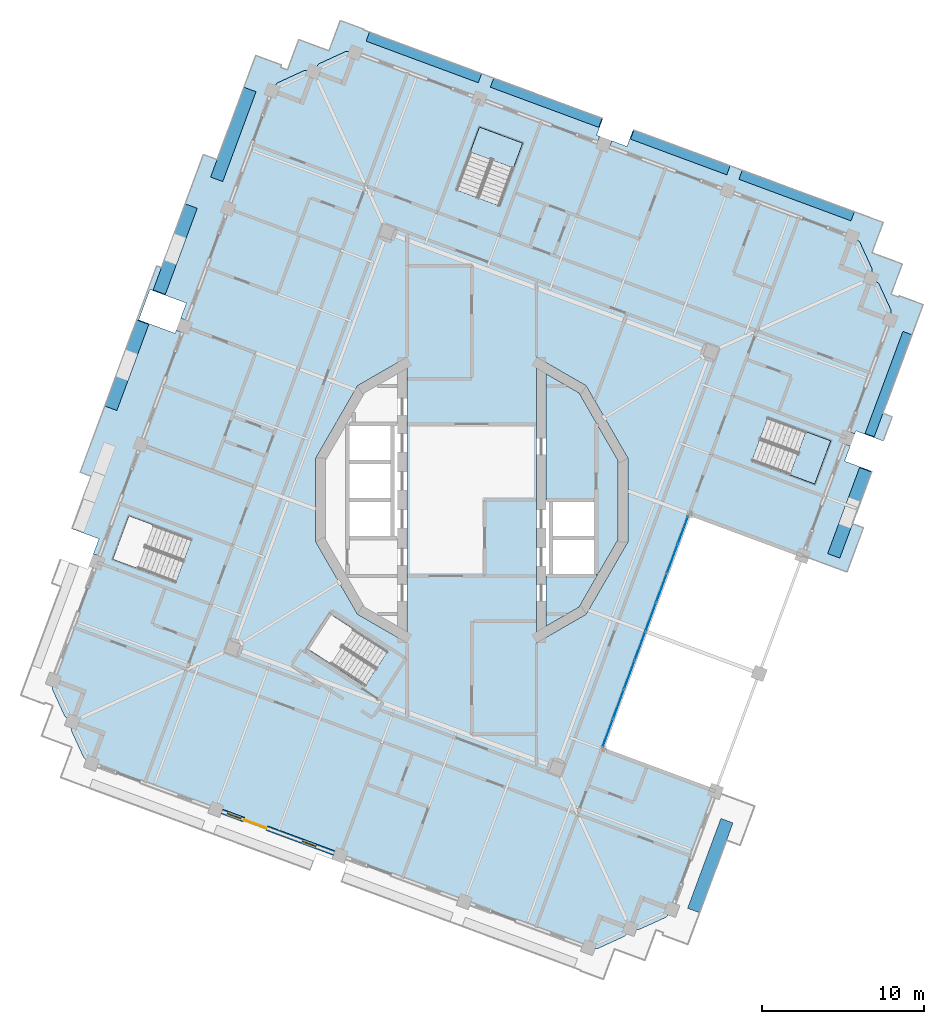
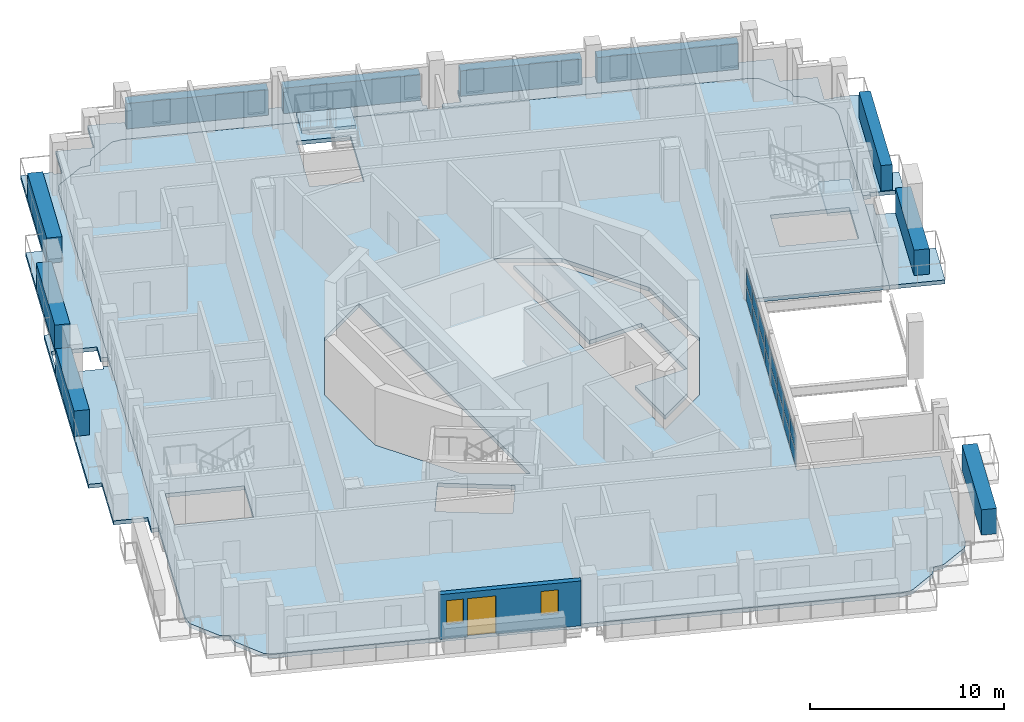
# One storey, part 4 of 19: 26 plates, 7 slabs, 2 windows, 1 door, 1 wall, 3 openings, 3 elements without a shape of their own.
"""IFC4 building model written with IfcOpenShell, lengths in metres."""

from ifc_helpers import new_model, si_unit, direction, frame, frame_2d, origin, origin_2d, place, context, subcontext, project, spatial, polyline, rectangle, outline, extrude, material, layer, layer_set, type_object, element, fill, aggregate, save


model = new_model("IFC4")

# Units and contexts
model_context = context("Model", 3, precision=1e-05, world=origin(), true_north=direction((0.0, 1.0)))
body_context = subcontext(model_context, "Body", "Model", "MODEL_VIEW")
ifc_project = project(units=[si_unit("LENGTHUNIT", "METRE"), si_unit("AREAUNIT", "SQUARE_METRE"), si_unit("VOLUMEUNIT", "CUBIC_METRE"), si_unit("PLANEANGLEUNIT", "RADIAN"), si_unit("MASSUNIT", "GRAM", prefix="KILO")], contexts=[model_context])

# Site, building, storey
site_placement = place(None, origin())
site = spatial("IfcSite", under=ifc_project, at=site_placement, CompositionType="ELEMENT")
building_placement = place(site_placement, origin())
building = spatial("IfcBuilding", under=site, at=building_placement, Name="Cantera Rosa Tower", CompositionType="ELEMENT")
storey_placement = place(building_placement, frame((0.0, 0.0, 331.300048828125)))
storey = spatial("IfcBuildingStorey", under=building, at=storey_placement, Name="L74", CompositionType="ELEMENT", Elevation=331.300048828125)

# Slabs
ifc_material_1 = material(Name="Concrete C35/45", Category="concrete")
ifc_layer_1 = layer(ifc_material_1, 0.25)
ifc_layer_set_1 = layer_set([ifc_layer_1], Name="COMPOSITE FLOOR SLAB 250 C35/45")
slab_type_1 = type_object("IfcSlabType", Name="COMPOSITE FLOOR SLAB 250 C35/45", PredefinedType="FLOOR", material=ifc_layer_set_1)
slab_1_placement = place(storey_placement, frame((0.0, 0.0, -0.25)))
element("IfcSlab", 1, at=slab_1_placement, inside=storey, type_object=slab_type_1, Name="SLAB L74 floor 2", PredefinedType="FLOOR", context=body_context, shape_type="SweptSolid", body=[
    extrude(outline(polyline([(-23.526611328125, -16.2900390625), (-23.919677734375, -16.031494140625), (-23.944091796875, -16.014892578125), (-23.966552734375, -15.99609375), (-23.987060546875, -15.974853515625), (-24.005615234375, -15.951904296875), (-24.021484375, -15.92724609375), (-24.03515625, -15.901123046875), (-24.743408203125, -14.35888671875), (-24.75439453125, -14.331787109375), (-24.7626953125, -14.303466796875), (-24.76806640625, -14.2744140625), (-24.7705078125, -14.2451171875), (-24.770263671875, -14.2158203125), (-24.76708984375, -14.186279296875), (-24.706787109375, -13.7197265625), (-25.10009765625, -13.461181640625), (-25.12451171875, -13.444580078125), (-25.14697265625, -13.42578125), (-25.16748046875, -13.404541015625), (-25.18603515625, -13.381591796875), (-25.201904296875, -13.35693359375), (-25.215576171875, -13.330810546875), (-25.923828125, -11.788818359375), (-25.934814453125, -11.76123046875), (-25.943115234375, -11.733154296875), (-25.948486328125, -11.7041015625), (-25.950927734375, -11.6748046875), (-25.95068359375, -11.6455078125), (-25.947509765625, -11.6162109375), (-25.88720703125, -11.1494140625), (-12.733154296875, 24.347412109375), (-12.370361328125, 25.32666015625), (-12.11181640625, 25.7197265625), (-12.09521484375, 25.744140625), (-12.076171875, 25.7666015625), (-12.05517578125, 25.787353515625), (-12.0322265625, 25.8056640625), (-12.007568359375, 25.82177734375), (-11.9814453125, 25.835205078125), (-10.439208984375, 26.543701171875), (-10.411865234375, 26.554443359375), (-10.383544921875, 26.562744140625), (-10.354736328125, 26.568115234375), (-10.325439453125, 26.57080078125), (-10.2958984375, 26.5703125), (-10.2666015625, 26.567138671875), (-9.800048828125, 26.507080078125), (-9.54150390625, 26.900146484375), (-9.52490234375, 26.924560546875), (-9.505859375, 26.947021484375), (-9.48486328125, 26.9677734375), (-9.4619140625, 26.986083984375), (-9.437255859375, 27.002197265625), (-9.4111328125, 27.015625), (-7.868896484375, 27.72412109375), (-7.841552734375, 27.735107421875), (-7.813232421875, 27.7431640625), (-7.784423828125, 27.74853515625), (-7.7548828125, 27.751220703125), (-7.7255859375, 27.750732421875), (-7.6962890625, 27.74755859375), (-7.2294921875, 27.6875), (-6.25048828125, 27.32470703125), (23.526611328125, 16.2900390625), (23.919677734375, 16.031494140625), (23.944091796875, 16.014892578125), (23.966552734375, 15.99609375), (23.987060546875, 15.974853515625), (24.005615234375, 15.951904296875), (24.021484375, 15.92724609375), (24.03515625, 15.901123046875), (24.743408203125, 14.35888671875), (24.75439453125, 14.331787109375), (24.7626953125, 14.303466796875), (24.76806640625, 14.2744140625), (24.7705078125, 14.2451171875), (24.770263671875, 14.2158203125), (24.76708984375, 14.186279296875), (24.706787109375, 13.7197265625), (25.10009765625, 13.461181640625), (25.12451171875, 13.444580078125), (25.14697265625, 13.42578125), (25.16748046875, 13.404541015625), (25.18603515625, 13.381591796875), (25.201904296875, 13.35693359375), (25.215576171875, 13.330810546875), (25.923828125, 11.788818359375), (25.934814453125, 11.76123046875), (25.943115234375, 11.733154296875), (25.948486328125, 11.7041015625), (25.950927734375, 11.6748046875), (25.95068359375, 11.6455078125), (25.947509765625, 11.6162109375), (25.88720703125, 11.1494140625), (20.48046875, -3.44091796875), (13.447998046875, -0.8349609375), (8.041015625, -15.42529296875), (15.07373046875, -18.031494140625), (12.733154296875, -24.347412109375), (12.370361328125, -25.32666015625), (12.11181640625, -25.7197265625), (12.09521484375, -25.744140625), (12.076171875, -25.7666015625), (12.05517578125, -25.787353515625), (12.0322265625, -25.8056640625), (12.007568359375, -25.82177734375), (11.9814453125, -25.835205078125), (10.439208984375, -26.543701171875), (10.411865234375, -26.554443359375), (10.383544921875, -26.562744140625), (10.354736328125, -26.568115234375), (10.325439453125, -26.57080078125), (10.2958984375, -26.5703125), (10.2666015625, -26.567138671875), (9.800048828125, -26.507080078125), (9.54150390625, -26.900146484375), (9.52490234375, -26.924560546875), (9.505859375, -26.947021484375), (9.48486328125, -26.9677734375), (9.4619140625, -26.986083984375), (9.437255859375, -27.002197265625), (9.4111328125, -27.015625), (7.868896484375, -27.72412109375), (7.841552734375, -27.735107421875), (7.813232421875, -27.7431640625), (7.784423828125, -27.74853515625), (7.7548828125, -27.751220703125), (7.7255859375, -27.750732421875), (7.6962890625, -27.74755859375), (7.2294921875, -27.6875), (6.25048828125, -27.32470703125), (-23.526611328125, -16.2900390625)]), holes=[polyline([(-8.581298828125, -7.1826171875), (-9.97021484375, -9.3212890625), (-6.6044921875, -11.507080078125), (-5.2158203125, -9.368408203125), (-8.581298828125, -7.1826171875)]), polyline([(-17.335693359375, -2.427490234375), (-21.2158203125, -0.989501953125), (-22.206298828125, -3.662109375), (-18.325927734375, -5.099853515625), (-17.335693359375, -2.427490234375)]), polyline([(-9.6591796875, 2.588134765625), (-9.6591796875, -2.588134765625), (-7.071044921875, -7.071044921875), (-4.0, -8.843994140625), (-4.0, 8.843994140625), (-7.071044921875, 7.071044921875), (-9.6591796875, 2.588134765625)]), polyline([(9.6591796875, -2.588134765625), (9.6591796875, 2.588134765625), (7.071044921875, 7.071044921875), (4.0, 8.843994140625), (4.0, -8.843994140625), (7.071044921875, -7.071044921875), (9.6591796875, -2.588134765625)]), polyline([(17.335693359375, 2.427490234375), (21.2158203125, 0.989501953125), (22.206298828125, 3.662109375), (18.325927734375, 5.099853515625), (17.335693359375, 2.427490234375)]), polyline([(1.70654296875, 18.203369140625), (3.14453125, 22.08349609375), (0.47216796875, 23.07373046875), (-0.9658203125, 19.193603515625), (1.70654296875, 18.203369140625)])]), origin(), (0.0, 0.0, 1.0), 0.25),
])
slab_2_placement = place(storey_placement, frame((0.0, 0.0, -0.25)))
element("IfcSlab", 2, at=slab_2_placement, inside=storey, type_object=slab_type_1, Name="SLAB L74 floor 3", PredefinedType="FLOOR", context=body_context, shape_type="SweptSolid", body=[
    extrude(outline(polyline([(4.60009765625, 0.0), (4.60009765625, 7.804931640625), (6.6318359375, 6.6318359375), (9.059326171875, 2.427490234375), (9.059326171875, -2.427490234375), (6.6318359375, -6.6318359375), (4.60009765625, -7.804931640625), (4.60009765625, -4.699951171875), (7.699951171875, -4.699951171875), (7.699951171875, -2.35009765625), (7.699951171875, 0.0), (4.60009765625, 0.0)])), origin(), (0.0, 0.0, 1.0), 0.25),
])

# Curtain wall, plates
ifc_material_2 = material(Name="Aluminium frame with clear glass", Category="aluminium")
curtain_wall_type = type_object("IfcCurtainWallType", Name="CW1 TERRACE POCKET GLAZING", PredefinedType="NOTDEFINED", material=ifc_material_2)
curtain_wall_placement = place(storey_placement, origin())
curtain_wall = element("IfcCurtainWall", 3, at=curtain_wall_placement, inside=storey, type_object=curtain_wall_type, Name="CW1 CW1", PredefinedType="NOTDEFINED")
ifc_material_3 = material(Name="Aluminium frame with clear glass", Category="aluminium")
ifc_layer_2 = layer(ifc_material_3, 0.028076171875)
ifc_layer_set_2 = layer_set([ifc_layer_2], Name="CW-PANEL POCKET")
plate_type_1 = type_object("IfcPlateType", Name="CW-PANEL POCKET", PredefinedType="CURTAIN_PANEL", material=ifc_layer_set_2)
plate_1_placement = place(storey_placement, frame((8.422119140625, -14.396728515625, 0.059814453125), z_axis=(0.0, 0.0, 1.0), x_axis=(0.347481234472, 0.93768693693, 0.0)))
plate_1 = element("IfcPlate", 4, at=plate_1_placement, type_object=plate_type_1, Name="CW1 panel 1.1", PredefinedType="CURTAIN_PANEL", context=body_context, shape_type="SweptSolid", body=[
    extrude(rectangle(XDim=1.82373046875, YDim=0.028076171875, at=origin_2d()), origin(), (0.0, 0.0, 1.0), 0.97412109375),
])
plate_2_placement = place(storey_placement, frame((8.422119140625, -14.396728515625, 1.093994140625), z_axis=(0.0, 0.0, 1.0), x_axis=(0.347481234472, 0.93768693693, 0.0)))
plate_2 = element("IfcPlate", 5, at=plate_2_placement, type_object=plate_type_1, Name="CW1 panel 1.2", PredefinedType="CURTAIN_PANEL", context=body_context, shape_type="SweptSolid", body=[
    extrude(rectangle(XDim=1.82373046875, YDim=0.028076171875, at=origin_2d()), origin(), (0.0, 0.0, 1.0), 0.97412109375),
])
plate_3_placement = place(storey_placement, frame((9.08203125, -12.616455078125, 0.059814453125), z_axis=(0.0, 0.0, 1.0), x_axis=(0.347481234472, 0.93768693693, 0.0)))
plate_3 = element("IfcPlate", 6, at=plate_3_placement, type_object=plate_type_1, Name="CW1 panel 2.1", PredefinedType="CURTAIN_PANEL", context=body_context, shape_type="SweptSolid", body=[
    extrude(rectangle(XDim=1.853759765625, YDim=0.028076171875, at=origin_2d()), origin(), (0.0, 0.0, 1.0), 0.97412109375),
])
plate_4_placement = place(storey_placement, frame((9.08203125, -12.616455078125, 1.093994140625), z_axis=(0.0, 0.0, 1.0), x_axis=(0.347481234472, 0.93768693693, 0.0)))
plate_4 = element("IfcPlate", 7, at=plate_4_placement, type_object=plate_type_1, Name="CW1 panel 2.2", PredefinedType="CURTAIN_PANEL", context=body_context, shape_type="SweptSolid", body=[
    extrude(rectangle(XDim=1.853759765625, YDim=0.028076171875, at=origin_2d()), origin(), (0.0, 0.0, 1.0), 0.97412109375),
])
plate_5_placement = place(storey_placement, frame((9.7470703125, -10.82177734375, 0.059814453125), z_axis=(0.0, 0.0, 1.0), x_axis=(0.347481234472, 0.93768693693, 0.0)))
plate_5 = element("IfcPlate", 8, at=plate_5_placement, type_object=plate_type_1, Name="CW1 panel 3.1", PredefinedType="CURTAIN_PANEL", context=body_context, shape_type="SweptSolid", body=[
    extrude(rectangle(XDim=1.853759765625, YDim=0.028076171875, at=origin_2d()), origin(), (0.0, 0.0, 1.0), 0.97412109375),
])
plate_6_placement = place(storey_placement, frame((9.7470703125, -10.82177734375, 1.093994140625), z_axis=(0.0, 0.0, 1.0), x_axis=(0.347481234472, 0.93768693693, 0.0)))
plate_6 = element("IfcPlate", 9, at=plate_6_placement, type_object=plate_type_1, Name="CW1 panel 3.2", PredefinedType="CURTAIN_PANEL", context=body_context, shape_type="SweptSolid", body=[
    extrude(rectangle(XDim=1.853759765625, YDim=0.028076171875, at=origin_2d()), origin(), (0.0, 0.0, 1.0), 0.97412109375),
])
plate_7_placement = place(storey_placement, frame((10.411865234375, -9.02734375, 0.059814453125), z_axis=(0.0, 0.0, 1.0), x_axis=(0.347481234472, 0.93768693693, 0.0)))
plate_7 = element("IfcPlate", 10, at=plate_7_placement, type_object=plate_type_1, Name="CW1 panel 4.1", PredefinedType="CURTAIN_PANEL", context=body_context, shape_type="SweptSolid", body=[
    extrude(rectangle(XDim=1.853759765625, YDim=0.028076171875, at=origin_2d()), origin(), (0.0, 0.0, 1.0), 0.97412109375),
])
plate_8_placement = place(storey_placement, frame((10.411865234375, -9.02734375, 1.093994140625), z_axis=(0.0, 0.0, 1.0), x_axis=(0.347481234472, 0.93768693693, 0.0)))
plate_8 = element("IfcPlate", 11, at=plate_8_placement, type_object=plate_type_1, Name="CW1 panel 4.2", PredefinedType="CURTAIN_PANEL", context=body_context, shape_type="SweptSolid", body=[
    extrude(rectangle(XDim=1.853759765625, YDim=0.028076171875, at=origin_2d()), origin(), (0.0, 0.0, 1.0), 0.97412109375),
])
plate_9_placement = place(storey_placement, frame((11.076904296875, -7.23291015625, 0.059814453125), z_axis=(0.0, 0.0, 1.0), x_axis=(0.347481234472, 0.93768693693, 0.0)))
plate_9 = element("IfcPlate", 12, at=plate_9_placement, type_object=plate_type_1, Name="CW1 panel 5.1", PredefinedType="CURTAIN_PANEL", context=body_context, shape_type="SweptSolid", body=[
    extrude(rectangle(XDim=1.853759765625, YDim=0.028076171875, at=origin_2d()), origin(), (0.0, 0.0, 1.0), 0.97412109375),
])
plate_10_placement = place(storey_placement, frame((11.076904296875, -7.23291015625, 1.093994140625), z_axis=(0.0, 0.0, 1.0), x_axis=(0.347481234472, 0.93768693693, 0.0)))
plate_10 = element("IfcPlate", 13, at=plate_10_placement, type_object=plate_type_1, Name="CW1 panel 5.2", PredefinedType="CURTAIN_PANEL", context=body_context, shape_type="SweptSolid", body=[
    extrude(rectangle(XDim=1.853759765625, YDim=0.028076171875, at=origin_2d()), origin(), (0.0, 0.0, 1.0), 0.97412109375),
])
plate_11_placement = place(storey_placement, frame((11.741943359375, -5.4384765625, 0.059814453125), z_axis=(0.0, 0.0, 1.0), x_axis=(0.347481234472, 0.93768693693, 0.0)))
plate_11 = element("IfcPlate", 14, at=plate_11_placement, type_object=plate_type_1, Name="CW1 panel 6.1", PredefinedType="CURTAIN_PANEL", context=body_context, shape_type="SweptSolid", body=[
    extrude(rectangle(XDim=1.853759765625, YDim=0.028076171875, at=origin_2d()), origin(), (0.0, 0.0, 1.0), 0.97412109375),
])
plate_12_placement = place(storey_placement, frame((11.741943359375, -5.4384765625, 1.093994140625), z_axis=(0.0, 0.0, 1.0), x_axis=(0.347481234472, 0.93768693693, 0.0)))
plate_12 = element("IfcPlate", 15, at=plate_12_placement, type_object=plate_type_1, Name="CW1 panel 6.2", PredefinedType="CURTAIN_PANEL", context=body_context, shape_type="SweptSolid", body=[
    extrude(rectangle(XDim=1.853759765625, YDim=0.028076171875, at=origin_2d()), origin(), (0.0, 0.0, 1.0), 0.97412109375),
])
plate_13_placement = place(storey_placement, frame((12.406982421875, -3.643798828125, 0.059814453125), z_axis=(0.0, 0.0, 1.0), x_axis=(0.347481234472, 0.93768693693, 0.0)))
plate_13 = element("IfcPlate", 16, at=plate_13_placement, type_object=plate_type_1, Name="CW1 panel 7.1", PredefinedType="CURTAIN_PANEL", context=body_context, shape_type="SweptSolid", body=[
    extrude(rectangle(XDim=1.853759765625, YDim=0.028076171875, at=origin_2d()), origin(), (0.0, 0.0, 1.0), 0.97412109375),
])
plate_14_placement = place(storey_placement, frame((12.406982421875, -3.643798828125, 1.093994140625), z_axis=(0.0, 0.0, 1.0), x_axis=(0.347481234472, 0.93768693693, 0.0)))
plate_14 = element("IfcPlate", 17, at=plate_14_placement, type_object=plate_type_1, Name="CW1 panel 7.2", PredefinedType="CURTAIN_PANEL", context=body_context, shape_type="SweptSolid", body=[
    extrude(rectangle(XDim=1.853759765625, YDim=0.028076171875, at=origin_2d()), origin(), (0.0, 0.0, 1.0), 0.97412109375),
])
plate_15_placement = place(storey_placement, frame((13.066650390625, -1.863525390625, 0.059814453125), z_axis=(0.0, 0.0, 1.0), x_axis=(0.347481234472, 0.93768693693, 0.0)))
plate_15 = element("IfcPlate", 18, at=plate_15_placement, type_object=plate_type_1, Name="CW1 panel 8.1", PredefinedType="CURTAIN_PANEL", context=body_context, shape_type="SweptSolid", body=[
    extrude(rectangle(XDim=1.82373046875, YDim=0.028076171875, at=origin_2d()), origin(), (0.0, 0.0, 1.0), 0.97412109375),
])
plate_16_placement = place(storey_placement, frame((13.066650390625, -1.863525390625, 1.093994140625), z_axis=(0.0, 0.0, 1.0), x_axis=(0.347481234472, 0.93768693693, 0.0)))
plate_16 = element("IfcPlate", 19, at=plate_16_placement, type_object=plate_type_1, Name="CW1 panel 8.2", PredefinedType="CURTAIN_PANEL", context=body_context, shape_type="SweptSolid", body=[
    extrude(rectangle(XDim=1.82373046875, YDim=0.028076171875, at=origin_2d()), origin(), (0.0, 0.0, 1.0), 0.97412109375),
])
aggregate(curtain_wall, [plate_1, plate_2, plate_3, plate_4, plate_5, plate_6, plate_7, plate_8, plate_9, plate_10, plate_11, plate_12, plate_13, plate_14, plate_15, plate_16])

# Slabs
ifc_material_4 = material(Name="Concrete C35/45", Category="concrete")
ifc_layer_3 = layer(ifc_material_4, 0.25)
ifc_layer_set_3 = layer_set([ifc_layer_3], Name="LOGGIA SLAB 250 C35/45")
slab_type_2 = type_object("IfcSlabType", Name="LOGGIA SLAB 250 C35/45", PredefinedType="FLOOR", material=ifc_layer_set_3)
slab_3_placement = place(storey_placement, frame((0.0, 0.0, -0.25)))
element("IfcSlab", 20, at=slab_3_placement, inside=storey, type_object=slab_type_2, Name="LOGGIA SLAB L74 2", PredefinedType="FLOOR", context=body_context, shape_type="SweptSolid", body=[
    extrude(outline(polyline([(-19.5, 14.48779296875), (-19.205810546875, 14.378662109375), (-16.611328125, 21.3798828125), (-15.762451171875, 21.065185546875), (-13.373779296875, 27.511474609375), (-11.779541015625, 26.920654296875), (-11.833251953125, 26.776123046875), (-11.4072265625, 26.618408203125), (-11.24951171875, 27.044189453125), (-10.71240234375, 28.49365234375), (-9.2626953125, 27.95654296875), (-8.8369140625, 27.798583984375), (-8.14208984375, 29.674072265625), (-6.6923828125, 29.136962890625), (-6.70849609375, 29.093994140625), (-0.42578125, 26.765869140625), (2.38720703125, 25.723388671875), (7.26318359375, 23.91650390625), (8.10693359375, 23.603759765625), (7.724853515625, 22.572265625), (7.912353515625, 22.502685546875), (7.7734375, 22.127685546875), (-6.25048828125, 27.32470703125), (-7.2294921875, 27.6875), (-7.6962890625, 27.74755859375), (-7.7255859375, 27.750732421875), (-7.7548828125, 27.751220703125), (-7.784423828125, 27.74853515625), (-7.813232421875, 27.7431640625), (-7.841552734375, 27.735107421875), (-7.868896484375, 27.72412109375), (-9.4111328125, 27.015625), (-9.437255859375, 27.002197265625), (-9.4619140625, 26.986083984375), (-9.48486328125, 26.9677734375), (-9.505859375, 26.947021484375), (-9.52490234375, 26.924560546875), (-9.54150390625, 26.900146484375), (-9.800048828125, 26.507080078125), (-10.2666015625, 26.567138671875), (-10.2958984375, 26.5703125), (-10.325439453125, 26.57080078125), (-10.354736328125, 26.568115234375), (-10.383544921875, 26.562744140625), (-10.411865234375, 26.554443359375), (-10.439208984375, 26.543701171875), (-11.9814453125, 25.835205078125), (-12.007568359375, 25.82177734375), (-12.0322265625, 25.8056640625), (-12.05517578125, 25.787353515625), (-12.076171875, 25.7666015625), (-12.09521484375, 25.744140625), (-12.11181640625, 25.7197265625), (-12.370361328125, 25.32666015625), (-12.733154296875, 24.347412109375), (-17.63818359375, 11.111328125), (-18.01318359375, 11.250244140625), (-17.665771484375, 12.18798828125), (-19.916259765625, 13.02197265625), (-20.611083984375, 11.146484375), (-18.360595703125, 10.3125), (-18.291259765625, 10.5), (-17.916015625, 10.361083984375), (-23.044921875, -3.47900390625), (-23.419921875, -3.340087890625), (-23.072509765625, -2.40234375), (-24.760498046875, -1.77685546875), (-23.55810546875, 1.468505859375), (-24.23193359375, 1.71826171875), (-19.5, 14.48779296875)])), origin(), (0.0, 0.0, 1.0), 0.25),
])
slab_4_placement = place(storey_placement, frame((0.0, 0.0, -0.25)))
element("IfcSlab", 21, at=slab_4_placement, inside=storey, type_object=slab_type_2, Name="LOGGIA SLAB L74 4", PredefinedType="FLOOR", context=body_context, shape_type="SweptSolid", body=[
    extrude(outline(polyline([(17.76513671875, 20.024658203125), (24.047607421875, 17.696533203125), (25.454345703125, 17.17529296875), (24.93310546875, 15.768798828125), (24.75927734375, 15.300048828125), (25.22802734375, 15.126220703125), (26.634765625, 14.60498046875), (26.11328125, 13.198486328125), (25.939697265625, 12.729736328125), (26.408447265625, 12.555908203125), (26.439697265625, 12.639892578125), (27.930419921875, 12.087646484375), (25.439208984375, 5.364990234375), (26.01171875, 5.15283203125), (25.45556640625, 3.652099609375), (23.767578125, 4.27783203125), (23.697998046875, 4.09033203125), (23.322998046875, 4.229248046875), (25.88720703125, 11.1494140625), (25.947509765625, 11.6162109375), (25.95068359375, 11.6455078125), (25.950927734375, 11.6748046875), (25.948486328125, 11.7041015625), (25.943115234375, 11.733154296875), (25.934814453125, 11.76123046875), (25.923828125, 11.788818359375), (25.215576171875, 13.330810546875), (25.201904296875, 13.35693359375), (25.18603515625, 13.381591796875), (25.16748046875, 13.404541015625), (25.14697265625, 13.42578125), (25.12451171875, 13.444580078125), (25.10009765625, 13.461181640625), (24.706787109375, 13.7197265625), (24.76708984375, 14.186279296875), (24.770263671875, 14.2158203125), (24.7705078125, 14.2451171875), (24.76806640625, 14.2744140625), (24.7626953125, 14.303466796875), (24.75439453125, 14.331787109375), (24.743408203125, 14.35888671875), (24.03515625, 15.901123046875), (24.021484375, 15.92724609375), (24.005615234375, 15.951904296875), (23.987060546875, 15.974853515625), (23.966552734375, 15.99609375), (23.944091796875, 16.014892578125), (23.919677734375, 16.031494140625), (23.526611328125, 16.2900390625), (8.5234375, 21.849853515625), (8.66259765625, 22.224853515625), (9.60009765625, 21.87744140625), (9.982421875, 22.90869140625), (10.076171875, 22.8740234375), (14.9521484375, 21.067138671875), (17.76513671875, 20.024658203125)])), origin(), (0.0, 0.0, 1.0), 0.25),
])
slab_5_placement = place(storey_placement, frame((0.0, 0.0, -0.25)))
element("IfcSlab", 22, at=slab_5_placement, inside=storey, type_object=slab_type_2, Name="LOGGIA SLAB L74 5", PredefinedType="FLOOR", context=body_context, shape_type="SweptSolid", body=[
    extrude(outline(polyline([(23.419921875, 3.340087890625), (23.072509765625, 2.40234375), (24.760498046875, 1.77685546875), (23.55810546875, -1.468505859375), (24.23193359375, -1.71826171875), (23.2177734375, -4.455322265625), (20.48046875, -3.44091796875), (23.044921875, 3.47900390625), (23.419921875, 3.340087890625)])), origin(), (0.0, 0.0, 1.0), 0.25),
])

# Plates
ifc_material_5 = material(Name="Cantera stone planter with soil", Category="masonry")
plate_type_2 = type_object("IfcPlateType", Name="PLANTER 600", PredefinedType="USERDEFINED", material=ifc_material_5)
plate_17_placement = place(storey_placement, frame((20.098876953125, 18.83984375, 0.0), z_axis=(0.0, 0.0, 1.0), x_axis=(-0.937686936924, 0.347481234489, 0.0)))
element("IfcPlate", 23, at=plate_17_placement, inside=storey, type_object=plate_type_2, Name="PLANTER L74-01", ObjectType="PLANTER", PredefinedType="USERDEFINED", context=body_context, shape_type="SweptSolid", body=[
    extrude(rectangle(XDim=7.39990234375, YDim=0.60009765625, at=origin_2d()), origin(), (0.0, 0.0, 1.0), 1.60009765625),
])
plate_18_placement = place(storey_placement, frame((12.902099609375, 21.5068359375, 0.0), z_axis=(0.0, 0.0, 1.0), x_axis=(-0.937686936924, 0.347481234489, 0.0)))
element("IfcPlate", 24, at=plate_18_placement, inside=storey, type_object=plate_type_2, Name="PLANTER L74-02", ObjectType="PLANTER", PredefinedType="USERDEFINED", context=body_context, shape_type="SweptSolid", body=[
    extrude(rectangle(XDim=6.35009765625, YDim=0.60009765625, at=origin_2d()), origin(), (0.0, 0.0, 1.0), 1.60009765625),
])
plate_19_placement = place(storey_placement, frame((4.603759765625, 24.58203125, 0.0), z_axis=(0.0, 0.0, 1.0), x_axis=(-0.937686936924, 0.347481234489, 0.0)))
element("IfcPlate", 25, at=plate_19_placement, inside=storey, type_object=plate_type_2, Name="PLANTER L74-03", ObjectType="PLANTER", PredefinedType="USERDEFINED", context=body_context, shape_type="SweptSolid", body=[
    extrude(rectangle(XDim=7.14990234375, YDim=0.60009765625, at=origin_2d()), origin(), (0.0, 0.0, 1.0), 1.60009765625),
])
plate_20_placement = place(storey_placement, frame((-2.968017578125, 27.387939453125, 0.0), z_axis=(0.0, 0.0, 1.0), x_axis=(-0.937686936924, 0.347481234489, 0.0)))
element("IfcPlate", 26, at=plate_20_placement, inside=storey, type_object=plate_type_2, Name="PLANTER L74-04", ObjectType="PLANTER", PredefinedType="USERDEFINED", context=body_context, shape_type="SweptSolid", body=[
    extrude(rectangle(XDim=7.39990234375, YDim=0.60009765625, at=origin_2d()), origin(), (0.0, 0.0, 1.0), 1.60009765625),
])
plate_21_placement = place(storey_placement, frame((25.788330078125, 7.1708984375, 0.0), z_axis=(0.0, 0.0, 1.0), x_axis=(0.347481234489, 0.937686936924, 0.0)))
element("IfcPlate", 27, at=plate_21_placement, inside=storey, type_object=plate_type_2, Name="PLANTER L74-18", ObjectType="PLANTER", PredefinedType="USERDEFINED", context=body_context, shape_type="SweptSolid", body=[
    extrude(rectangle(XDim=6.72998046875, YDim=0.60009765625, at=origin_2d()), origin(), (0.0, 0.0, 1.0), 1.60009765625),
])
ifc_material_6 = material(Name="Cantera stone planter with soil", Category="masonry")
plate_type_3 = type_object("IfcPlateType", Name="PLANTER 800", PredefinedType="USERDEFINED", material=ifc_material_6)
plate_22_placement = place(storey_placement, frame((-14.758544921875, 22.623046875, 0.0), z_axis=(0.0, 0.0, 1.0), x_axis=(-0.347481234489, -0.937686936924, 0.0)))
element("IfcPlate", 28, at=plate_22_placement, inside=storey, type_object=plate_type_3, Name="PLANTER L74-05", ObjectType="PLANTER", PredefinedType="USERDEFINED", context=body_context, shape_type="SweptSolid", body=[
    extrude(rectangle(XDim=5.929931640625, YDim=0.800048828125, at=origin_2d()), origin(), (0.0, 0.0, 1.0), 1.60009765625),
])
for number, where, z_axis, x_axis, name in (
    (29, (-18.3544921875, 15.525146484375, 0.0), (0.0, 0.0, 1.0), (-0.347481234489, -0.937686936924, 0.0), "PLANTER L74-06"),
    (30, (-21.351806640625, 8.339111328125, 0.0), (0.0, 0.0, 1.0), (-0.347481234489, -0.937686936924, 0.0), "PLANTER L74-07"),
):
    element("IfcPlate", number, at=place(storey_placement, frame(where, z_axis=z_axis, x_axis=x_axis)), inside=storey, type_object=plate_type_3, Name=name, ObjectType="PLANTER", PredefinedType="USERDEFINED", context=body_context, shape_type="SweptSolid", body=[
        extrude(rectangle(XDim=5.679931640625, YDim=0.800048828125, at=origin_2d()), origin(), (0.0, 0.0, 1.0), 1.60009765625),
    ])
plate_23_placement = place(storey_placement, frame((14.758544921875, -22.623046875, 0.0), z_axis=(0.0, 0.0, 1.0), x_axis=(0.347481234489, 0.937686936924, 0.0)))
element("IfcPlate", 31, at=plate_23_placement, inside=storey, type_object=plate_type_3, Name="PLANTER L74-14", ObjectType="PLANTER", PredefinedType="USERDEFINED", context=body_context, shape_type="SweptSolid", body=[
    extrude(rectangle(XDim=5.929931640625, YDim=0.800048828125, at=origin_2d()), origin(), (0.0, 0.0, 1.0), 1.60009765625),
])
plate_24_placement = place(storey_placement, frame((23.38134765625, -0.7939453125, 0.0), z_axis=(0.0, 0.0, 1.0), x_axis=(0.347481234489, 0.937686936924, 0.0)))
element("IfcPlate", 32, at=plate_24_placement, inside=storey, type_object=plate_type_3, Name="PLANTER L74-17", ObjectType="PLANTER", PredefinedType="USERDEFINED", context=body_context, shape_type="SweptSolid", body=[
    extrude(rectangle(XDim=5.679931640625, YDim=0.800048828125, at=origin_2d()), origin(), (0.0, 0.0, 1.0), 1.60009765625),
])

# Stair, slab
ifc_material_7 = material(Name="Concrete C35/45", Category="concrete")
stair_type = type_object("IfcStairType", Name="EXIT STAIR 1350 DOGLEG", PredefinedType="HALF_TURN_STAIR", material=ifc_material_7)
stair_1_placement = place(storey_placement, origin())
stair_1 = element("IfcStair", 33, at=stair_1_placement, inside=storey, type_object=stair_type, Name="L74 ST-61", PredefinedType="HALF_TURN_STAIR")
ifc_material_8 = material(Name="Concrete C35/45", Category="concrete")
ifc_layer_4 = layer(ifc_material_8, 0.199951171875)
ifc_layer_set_4 = layer_set([ifc_layer_4], Name="STAIR LANDING 200")
slab_type_3 = type_object("IfcSlabType", Name="STAIR LANDING 200", PredefinedType="LANDING", material=ifc_layer_set_4)
slab_6_placement = place(storey_placement, frame((0.0, 0.0, 1.599853515625)))
slab_6 = element("IfcSlab", 34, at=slab_6_placement, type_object=slab_type_3, Name="ST-61 landing 1", PredefinedType="LANDING", context=body_context, shape_type="SweptSolid", body=[
    extrude(outline(polyline([(19.67626953125, 1.56005859375), (21.2158203125, 0.989501953125), (22.206298828125, 3.661865234375), (20.66650390625, 4.232421875), (19.67626953125, 1.56005859375)])), origin(), (0.0, 0.0, 1.0), 0.2001953125),
])
aggregate(stair_1, [slab_6])

stair_2_placement = place(storey_placement, origin())
stair_2 = element("IfcStair", 35, at=stair_2_placement, inside=storey, type_object=stair_type, Name="L74 ST-62", PredefinedType="HALF_TURN_STAIR")
slab_7_placement = place(storey_placement, frame((0.0, 0.0, 1.599853515625)))
slab_7 = element("IfcSlab", 36, at=slab_7_placement, type_object=slab_type_3, Name="ST-62 landing 1", PredefinedType="LANDING", context=body_context, shape_type="SweptSolid", body=[
    extrude(outline(polyline([(2.573974609375, 20.543701171875), (3.14453125, 22.08349609375), (0.47216796875, 23.07373046875), (-0.098388671875, 21.5341796875), (2.573974609375, 20.543701171875)])), origin(), (0.0, 0.0, 1.0), 0.2001953125),
])
aggregate(stair_2, [slab_7])

# Wall, openings, windows, door
ifc_material_9 = material(Name="Hollow clay masonry with cantera stone cladding", Category="masonry")
ifc_layer_5 = layer(ifc_material_9, 0.300048828125)
ifc_layer_set_5 = layer_set([ifc_layer_5], Name="EW-LOGGIA 300 H2820")
wall_type = type_object("IfcWallType", Name="EW-LOGGIA 300 H2820", PredefinedType="SOLIDWALL", material=ifc_layer_set_5)
wall_placement = place(storey_placement, frame((-15.46240234375, -19.2783203125, 0.0), z_axis=(0.0, 0.0, 1.0), x_axis=(0.937680690562, -0.34749808999, 0.0)))
wall = element("IfcWall", 37, at=wall_placement, inside=storey, type_object=wall_type, Name="EN-L74-W15", PredefinedType="SOLIDWALL", context=body_context, shape_type="SweptSolid", body=[
    extrude(rectangle(XDim=7.400146484375, YDim=0.300048828125, at=frame_2d((3.7001953125, 0.0))), origin(), (0.0, 0.0, 1.0), 2.820068359375),
])
opening_1_placement = place(wall_placement, frame((0.35009765625, 0.0, 0.89990234375)))
opening_1 = element("IfcOpeningElement", 38, at=opening_1_placement, cuts=wall, Name="Opening L74-W31", PredefinedType="OPENING", context=body_context, shape_type="SweptSolid", body=[
    extrude(rectangle(XDim=0.89990234375, YDim=1.5, at=frame_2d((0.449951171875, 0.75))), frame((0.0, 0.159912109375, 0.0), z_axis=(0.0, -1.0, 0.0), x_axis=(1.0, 0.0, 0.0)), (0.0, 0.0, 1.0), 0.320068359375),
])
opening_2_placement = place(wall_placement, frame((1.449951171875, 0.0, 0.0)))
opening_2 = element("IfcOpeningElement", 39, at=opening_2_placement, cuts=wall, Name="Opening L74-TD32", PredefinedType="OPENING", context=body_context, shape_type="SweptSolid", body=[
    extrude(rectangle(XDim=1.5, YDim=2.39990234375, at=frame_2d((0.75, 1.199951171875))), frame((0.0, 0.159912109375, 0.0), z_axis=(0.0, -1.0, 0.0), x_axis=(1.0, 0.0, 0.0)), (0.0, 0.0, 1.0), 0.320068359375),
])
opening_3_placement = place(wall_placement, frame((5.300048828125, 0.0, 0.89990234375)))
opening_3 = element("IfcOpeningElement", 40, at=opening_3_placement, cuts=wall, Name="Opening L74-W33", PredefinedType="OPENING", context=body_context, shape_type="SweptSolid", body=[
    extrude(rectangle(XDim=0.89990234375, YDim=1.5, at=frame_2d((0.449951171875, 0.75))), frame((0.0, 0.159912109375, 0.0), z_axis=(0.0, -1.0, 0.0), x_axis=(1.0, 0.0, 0.0)), (0.0, 0.0, 1.0), 0.320068359375),
])
ifc_material_10 = material(Name="Aluminium frame with clear glass", Category="aluminium")
window_type = type_object("IfcWindowType", Name="Residential window 900x1500", PartitioningType="SINGLE_PANEL", PredefinedType="WINDOW", material=ifc_material_10)
window_1_placement = place(opening_1_placement, origin())
window_1 = element("IfcWindow", 41, at=window_1_placement, inside=storey, type_object=window_type, Name="WINDOW L74-W31", OverallHeight=1.5, OverallWidth=0.89990234375, PartitioningType="SINGLE_PANEL", PredefinedType="WINDOW", context=body_context, shape_type="SweptSolid", body=[
    extrude(rectangle(XDim=0.89990234375, YDim=1.5, at=frame_2d((0.449951171875, 0.75))), frame((0.0, 0.030029296875, 0.0), z_axis=(0.0, -1.0, 0.0), x_axis=(1.0, 0.0, 0.0)), (0.0, 0.0, 1.0), 0.06005859375),
])
fill(opening_1, window_1)
window_2_placement = place(opening_3_placement, origin())
window_2 = element("IfcWindow", 42, at=window_2_placement, inside=storey, type_object=window_type, Name="WINDOW L74-W33", OverallHeight=1.5, OverallWidth=0.89990234375, PartitioningType="SINGLE_PANEL", PredefinedType="WINDOW", context=body_context, shape_type="SweptSolid", body=[
    extrude(rectangle(XDim=0.89990234375, YDim=1.5, at=frame_2d((0.449951171875, 0.75))), frame((0.0, 0.030029296875, 0.0), z_axis=(0.0, -1.0, 0.0), x_axis=(1.0, 0.0, 0.0)), (0.0, 0.0, 1.0), 0.06005859375),
])
fill(opening_3, window_2)
ifc_material_11 = material(Name="Aluminium frame with clear glass", Category="aluminium")
door_type = type_object("IfcDoorType", Name="TD-R 1500x2400", OperationType="NOTDEFINED", PredefinedType="DOOR", material=ifc_material_11)
door_placement = place(opening_2_placement, origin())
door = element("IfcDoor", 43, at=door_placement, inside=storey, type_object=door_type, Name="LOGGIA DOOR L74-TD32", OperationType="SLIDING_TO_LEFT", OverallHeight=2.39990234375, OverallWidth=1.5, PredefinedType="DOOR", context=body_context, shape_type="SweptSolid", body=[
    extrude(rectangle(XDim=1.5, YDim=2.39990234375, at=frame_2d((0.75, 1.199951171875))), frame((0.0, 0.02490234375, 0.0), z_axis=(0.0, -1.0, 0.0), x_axis=(1.0, 0.0, 0.0)), (0.0, 0.0, 1.0), 0.050048828125),
])
fill(opening_2, door)

save(model, "model.ifc")
